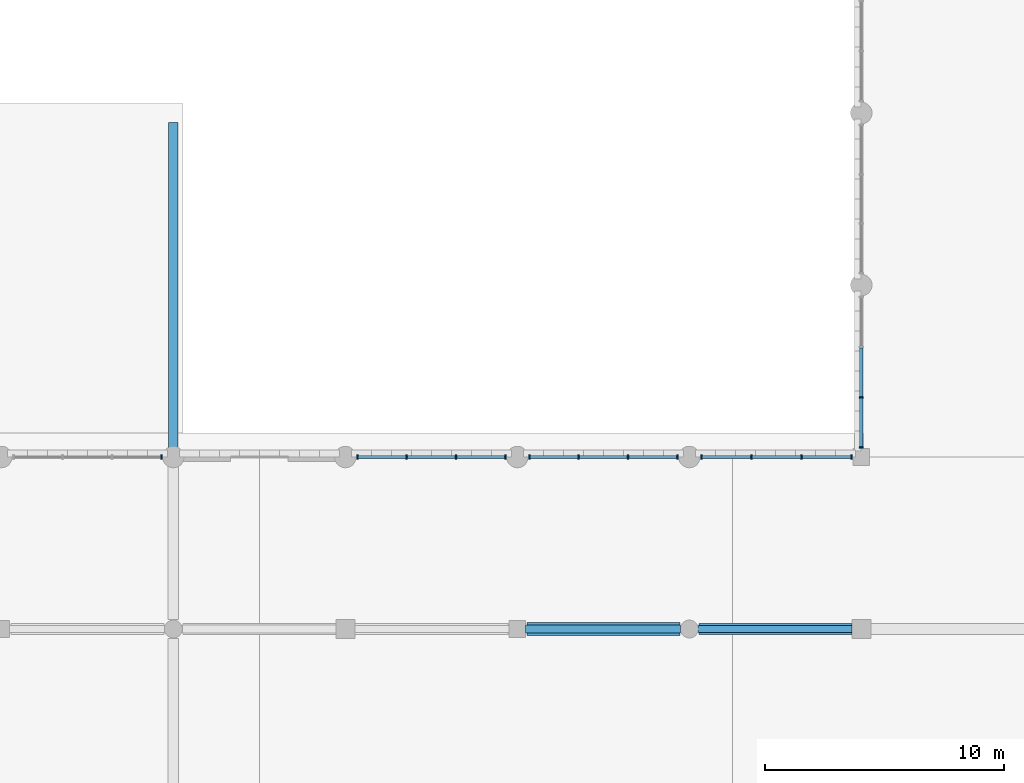
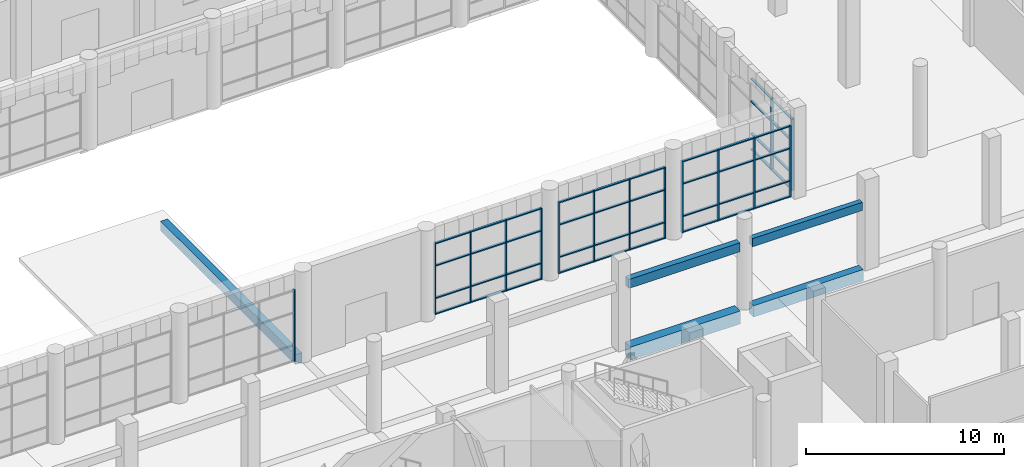
# One storey, part 17 of 85: 59 members, 5 beams, 5 elements without a shape of their own.
"""IFC4 building model written with IfcOpenShell, lengths in metres."""

from ifc_helpers import new_model, si_unit, direction, frame, origin, origin_2d, place, context, subcontext, project, spatial, rectangle, extrude, material, material_profile, profile_set, type_object, element, aggregate, save


model = new_model("IFC4")

# Units and contexts
model_context = context("Model", 3, precision=1e-05, world=origin(), true_north=direction((0.0, 1.0)))
body_context = subcontext(model_context, "Body", "Model", "MODEL_VIEW")
ifc_project = project(units=[si_unit("LENGTHUNIT", "METRE"), si_unit("AREAUNIT", "SQUARE_METRE"), si_unit("VOLUMEUNIT", "CUBIC_METRE"), si_unit("PLANEANGLEUNIT", "RADIAN"), si_unit("MASSUNIT", "GRAM", prefix="KILO")], contexts=[model_context])

# Site, building, storey
site_placement = place(None, origin())
site = spatial("IfcSite", under=ifc_project, at=site_placement, CompositionType="ELEMENT")
building_placement = place(site_placement, origin())
building = spatial("IfcBuilding", under=site, at=building_placement, Name="Sardonyx Promenade Sports Hall", CompositionType="ELEMENT")
storey_placement = place(building_placement, origin())
storey = spatial("IfcBuildingStorey", under=building, at=storey_placement, Name="L00", CompositionType="ELEMENT", Elevation=0.0)

# Beams
ifc_material_1 = material(Name="Concrete C40/50", Category="concrete")
ifc_material_profile_1 = material_profile(ifc_material_1, rectangle(XDim=0.550048828125, YDim=0.800048828125, at=origin_2d()))
ifc_profile_set_1 = profile_set([ifc_material_profile_1], Name="Concrete C40/50")
beam_type_1 = type_object("IfcBeamType", Name="Bm_Girder_RC800", PredefinedType="BEAM", material=ifc_profile_set_1)
beam_1_placement = place(storey_placement, frame((79.60009765625, 36.0, -0.39990234375), z_axis=(1.0, 0.0, 0.0), x_axis=(0.0, 1.0, 0.0)))
element("IfcBeam", 1, at=beam_1_placement, inside=storey, type_object=beam_type_1, Name="Beam BG04 L00 #111", PredefinedType="BEAM", context=body_context, shape_type="SweptSolid", body=[
    extrude(rectangle(XDim=0.550048828125, YDim=0.800048828125, at=origin_2d()), origin(), (0.0, 0.0, 1.0), 6.39990234375),
])
ifc_material_2 = material(Name="Concrete C40/50", Category="concrete")
ifc_material_profile_2 = material_profile(ifc_material_2, rectangle(XDim=0.35009765625, YDim=0.550048828125, at=origin_2d()))
ifc_profile_set_2 = profile_set([ifc_material_profile_2], Name="Concrete C40/50")
beam_type_2 = type_object("IfcBeamType", Name="Bm_Lintel_Portal", PredefinedType="LINTEL", material=ifc_profile_set_2)
beam_2_placement = place(storey_placement, frame((79.548095703125, 36.0, 3.85009765625), z_axis=(1.0, 0.0, 0.0), x_axis=(0.0, 1.0, 0.0)))
element("IfcBeam", 2, at=beam_2_placement, inside=storey, type_object=beam_type_2, Name="Riwaq sandstone portal lintel #7", PredefinedType="LINTEL", context=body_context, shape_type="SweptSolid", body=[
    extrude(rectangle(XDim=0.35009765625, YDim=0.550048828125, at=origin_2d()), origin(), (0.0, 0.0, 1.0), 6.47900390625),
])
ifc_material_3 = material(Name="Concrete C40/50", Category="concrete")
ifc_material_profile_3 = material_profile(ifc_material_3, rectangle(XDim=0.300048828125, YDim=0.5, at=origin_2d()))
ifc_profile_set_3 = profile_set([ifc_material_profile_3], Name="Concrete C40/50")
beam_type_3 = type_object("IfcBeamType", Name="Bm_Lintel_Sandstone", PredefinedType="LINTEL", material=ifc_profile_set_3)
beam_3_placement = place(storey_placement, frame((86.77294921875, 36.0, 3.85009765625), z_axis=(1.0, 0.0, 0.0), x_axis=(0.0, 1.0, 0.0)))
element("IfcBeam", 3, at=beam_3_placement, inside=storey, type_object=beam_type_3, Name="Riwaq sandstone portal lintel #8", PredefinedType="LINTEL", context=body_context, shape_type="SweptSolid", body=[
    extrude(rectangle(XDim=0.300048828125, YDim=0.5, at=origin_2d()), origin(), (0.0, 0.0, 1.0), 6.428955078125),
])
ifc_material_4 = material(Name="Concrete C40/50", Category="concrete")
ifc_material_profile_4 = material_profile(ifc_material_4, rectangle(XDim=0.449951171875, YDim=0.699951171875, at=origin_2d()))
ifc_profile_set_4 = profile_set([ifc_material_profile_4], Name="Concrete C40/50")
beam_type_4 = type_object("IfcBeamType", Name="Bm_Primary_RC700", PredefinedType="BEAM", material=ifc_profile_set_4)
beam_4_placement = place(storey_placement, frame((86.800048828125, 36.0, -0.35009765625), z_axis=(1.0, 0.0, 0.0), x_axis=(0.0, 1.0, 0.0)))
element("IfcBeam", 4, at=beam_4_placement, inside=storey, type_object=beam_type_4, Name="Beam BG01 L00 #112", PredefinedType="BEAM", context=body_context, shape_type="SweptSolid", body=[
    extrude(rectangle(XDim=0.449951171875, YDim=0.699951171875, at=origin_2d()), origin(), (0.0, 0.0, 1.0), 6.39990234375),
])
ifc_material_5 = material(Name="Concrete C40/50", Category="concrete")
ifc_material_profile_5 = material_profile(ifc_material_5, rectangle(XDim=0.39990234375, YDim=0.60009765625, at=origin_2d()))
ifc_profile_set_5 = profile_set([ifc_material_profile_5], Name="Concrete C40/50")
beam_type_5 = type_object("IfcBeamType", Name="Bm_Spandrel_RC600", PredefinedType="SPANDREL", material=ifc_profile_set_5)
beam_5_placement = place(storey_placement, frame((64.800048828125, 43.60009765625, -0.300048828125), z_axis=(0.0, 1.0, 0.0), x_axis=(-1.0, 0.0, 0.0)))
element("IfcBeam", 5, at=beam_5_placement, inside=storey, type_object=beam_type_5, Name="Beam SPB1 L00 #143", PredefinedType="SPANDREL", context=body_context, shape_type="SweptSolid", body=[
    extrude(rectangle(XDim=0.39990234375, YDim=0.60009765625, at=origin_2d()), origin(), (0.0, 0.0, 1.0), 13.599853515625),
])

# Curtain wall, member
ifc_material_6 = material(Name="Aluminium 6063-T6", Category="aluminium")
curtain_wall_type = type_object("IfcCurtainWallType", Name="CW_Riwaq_L00_640", PredefinedType="USERDEFINED", material=ifc_material_6)
curtain_wall_1_placement = place(storey_placement, origin())
curtain_wall_1 = element("IfcCurtainWall", 6, at=curtain_wall_1_placement, inside=storey, type_object=curtain_wall_type, Name="Curtain wall CW17 cw:L00:112", ObjectType="CURTAIN WALL", PredefinedType="USERDEFINED")
ifc_material_7 = material(Name="Aluminium 6063-T6", Category="aluminium")
ifc_material_profile_6 = material_profile(ifc_material_7, rectangle(XDim=0.06494140625, YDim=0.175048828125, at=origin_2d()))
ifc_profile_set_6 = profile_set([ifc_material_profile_6], Name="Aluminium 6063-T6")
member_type_1 = type_object("IfcMemberType", Name="CW_Mull_175", PredefinedType="MULLION", material=ifc_profile_set_6)
member_1_placement = place(storey_placement, frame((64.297607421875, 43.199951171875, 0.0), z_axis=(0.0, 0.0, 1.0), x_axis=(1.0, 0.0, 0.0)))
member_1 = element("IfcMember", 7, at=member_1_placement, type_object=member_type_1, Name="Mullion CM02 cw:L00:112 #4", PredefinedType="MULLION", context=body_context, shape_type="SweptSolid", body=[
    extrude(rectangle(XDim=0.06494140625, YDim=0.175048828125, at=origin_2d()), origin(), (0.0, 0.0, 1.0), 4.39990234375),
])
aggregate(curtain_wall_1, [member_1])

# Curtain wall, members
curtain_wall_2_placement = place(storey_placement, origin())
curtain_wall_2 = element("IfcCurtainWall", 8, at=curtain_wall_2_placement, inside=storey, type_object=curtain_wall_type, Name="Curtain wall CW17 cw:L00:114", ObjectType="CURTAIN WALL", PredefinedType="USERDEFINED")
member_2_placement = place(storey_placement, frame((72.50244140625, 43.199951171875, 0.0), z_axis=(0.0, 0.0, 1.0), x_axis=(1.0, 0.0, 0.0)))
member_2 = element("IfcMember", 9, at=member_2_placement, type_object=member_type_1, Name="Mullion CM02 cw:L00:114 #1", PredefinedType="MULLION", context=body_context, shape_type="SweptSolid", body=[
    extrude(rectangle(XDim=0.06494140625, YDim=0.175048828125, at=origin_2d()), origin(), (0.0, 0.0, 1.0), 4.39990234375),
])
member_3_placement = place(storey_placement, frame((74.5673828125, 43.199951171875, 0.0), z_axis=(0.0, 0.0, 1.0), x_axis=(1.0, 0.0, 0.0)))
member_3 = element("IfcMember", 10, at=member_3_placement, type_object=member_type_1, Name="Mullion CM02 cw:L00:114 #2", PredefinedType="MULLION", context=body_context, shape_type="SweptSolid", body=[
    extrude(rectangle(XDim=0.06494140625, YDim=0.175048828125, at=origin_2d()), origin(), (0.0, 0.0, 1.0), 4.39990234375),
])
member_4_placement = place(storey_placement, frame((76.632568359375, 43.199951171875, 0.0), z_axis=(0.0, 0.0, 1.0), x_axis=(1.0, 0.0, 0.0)))
member_4 = element("IfcMember", 11, at=member_4_placement, type_object=member_type_1, Name="Mullion CM02 cw:L00:114 #3", PredefinedType="MULLION", context=body_context, shape_type="SweptSolid", body=[
    extrude(rectangle(XDim=0.06494140625, YDim=0.175048828125, at=origin_2d()), origin(), (0.0, 0.0, 1.0), 4.39990234375),
])
member_5_placement = place(storey_placement, frame((78.697509765625, 43.199951171875, 0.0), z_axis=(0.0, 0.0, 1.0), x_axis=(1.0, 0.0, 0.0)))
member_5 = element("IfcMember", 12, at=member_5_placement, type_object=member_type_1, Name="Mullion CM02 cw:L00:114 #4", PredefinedType="MULLION", context=body_context, shape_type="SweptSolid", body=[
    extrude(rectangle(XDim=0.06494140625, YDim=0.175048828125, at=origin_2d()), origin(), (0.0, 0.0, 1.0), 4.39990234375),
])

curtain_wall_3_placement = place(storey_placement, origin())
curtain_wall_3 = element("IfcCurtainWall", 13, at=curtain_wall_3_placement, inside=storey, type_object=curtain_wall_type, Name="Curtain wall CW17 cw:L00:116", ObjectType="CURTAIN WALL", PredefinedType="USERDEFINED")
member_6_placement = place(storey_placement, frame((79.702392578125, 43.199951171875, 0.0), z_axis=(0.0, 0.0, 1.0), x_axis=(1.0, 0.0, 0.0)))
member_6 = element("IfcMember", 14, at=member_6_placement, type_object=member_type_1, Name="Mullion CM02 cw:L00:116 #1", PredefinedType="MULLION", context=body_context, shape_type="SweptSolid", body=[
    extrude(rectangle(XDim=0.06494140625, YDim=0.175048828125, at=origin_2d()), origin(), (0.0, 0.0, 1.0), 4.39990234375),
])
member_7_placement = place(storey_placement, frame((81.767578125, 43.199951171875, 0.0), z_axis=(0.0, 0.0, 1.0), x_axis=(1.0, 0.0, 0.0)))
member_7 = element("IfcMember", 15, at=member_7_placement, type_object=member_type_1, Name="Mullion CM02 cw:L00:116 #2", PredefinedType="MULLION", context=body_context, shape_type="SweptSolid", body=[
    extrude(rectangle(XDim=0.06494140625, YDim=0.175048828125, at=origin_2d()), origin(), (0.0, 0.0, 1.0), 4.39990234375),
])
member_8_placement = place(storey_placement, frame((83.83251953125, 43.199951171875, 0.0), z_axis=(0.0, 0.0, 1.0), x_axis=(1.0, 0.0, 0.0)))
member_8 = element("IfcMember", 16, at=member_8_placement, type_object=member_type_1, Name="Mullion CM02 cw:L00:116 #3", PredefinedType="MULLION", context=body_context, shape_type="SweptSolid", body=[
    extrude(rectangle(XDim=0.06494140625, YDim=0.175048828125, at=origin_2d()), origin(), (0.0, 0.0, 1.0), 4.39990234375),
])
member_9_placement = place(storey_placement, frame((85.8974609375, 43.199951171875, 0.0), z_axis=(0.0, 0.0, 1.0), x_axis=(1.0, 0.0, 0.0)))
member_9 = element("IfcMember", 17, at=member_9_placement, type_object=member_type_1, Name="Mullion CM02 cw:L00:116 #4", PredefinedType="MULLION", context=body_context, shape_type="SweptSolid", body=[
    extrude(rectangle(XDim=0.06494140625, YDim=0.175048828125, at=origin_2d()), origin(), (0.0, 0.0, 1.0), 4.39990234375),
])

curtain_wall_4_placement = place(storey_placement, origin())
curtain_wall_4 = element("IfcCurtainWall", 18, at=curtain_wall_4_placement, inside=storey, type_object=curtain_wall_type, Name="Curtain wall CW17 cw:L00:118", ObjectType="CURTAIN WALL", PredefinedType="USERDEFINED")
member_10_placement = place(storey_placement, frame((86.902587890625, 43.199951171875, 0.0), z_axis=(0.0, 0.0, 1.0), x_axis=(1.0, 0.0, 0.0)))
member_10 = element("IfcMember", 19, at=member_10_placement, type_object=member_type_1, Name="Mullion CM02 cw:L00:118 #1", PredefinedType="MULLION", context=body_context, shape_type="SweptSolid", body=[
    extrude(rectangle(XDim=0.06494140625, YDim=0.175048828125, at=origin_2d()), origin(), (0.0, 0.0, 1.0), 4.39990234375),
])
member_11_placement = place(storey_placement, frame((89.000732421875, 43.199951171875, 0.0), z_axis=(0.0, 0.0, 1.0), x_axis=(1.0, 0.0, 0.0)))
member_11 = element("IfcMember", 20, at=member_11_placement, type_object=member_type_1, Name="Mullion CM02 cw:L00:118 #2", PredefinedType="MULLION", context=body_context, shape_type="SweptSolid", body=[
    extrude(rectangle(XDim=0.06494140625, YDim=0.175048828125, at=origin_2d()), origin(), (0.0, 0.0, 1.0), 4.39990234375),
])
member_12_placement = place(storey_placement, frame((91.09912109375, 43.199951171875, 0.0), z_axis=(0.0, 0.0, 1.0), x_axis=(1.0, 0.0, 0.0)))
member_12 = element("IfcMember", 21, at=member_12_placement, type_object=member_type_1, Name="Mullion CM02 cw:L00:118 #3", PredefinedType="MULLION", context=body_context, shape_type="SweptSolid", body=[
    extrude(rectangle(XDim=0.06494140625, YDim=0.175048828125, at=origin_2d()), origin(), (0.0, 0.0, 1.0), 4.39990234375),
])
member_13_placement = place(storey_placement, frame((93.197509765625, 43.199951171875, 0.0), z_axis=(0.0, 0.0, 1.0), x_axis=(1.0, 0.0, 0.0)))
member_13 = element("IfcMember", 22, at=member_13_placement, type_object=member_type_1, Name="Mullion CM02 cw:L00:118 #4", PredefinedType="MULLION", context=body_context, shape_type="SweptSolid", body=[
    extrude(rectangle(XDim=0.06494140625, YDim=0.175048828125, at=origin_2d()), origin(), (0.0, 0.0, 1.0), 4.39990234375),
])

curtain_wall_5_placement = place(storey_placement, origin())
curtain_wall_5 = element("IfcCurtainWall", 23, at=curtain_wall_5_placement, inside=storey, type_object=curtain_wall_type, Name="Curtain wall CW17 cw:L00:121", ObjectType="CURTAIN WALL", PredefinedType="USERDEFINED")
member_14_placement = place(storey_placement, frame((93.60009765625, 43.6025390625, 0.0), z_axis=(0.0, 0.0, 1.0), x_axis=(0.0, 1.0, 0.0)))
member_14 = element("IfcMember", 24, at=member_14_placement, type_object=member_type_1, Name="Mullion CM02 cw:L00:121 #1", PredefinedType="MULLION", context=body_context, shape_type="SweptSolid", body=[
    extrude(rectangle(XDim=0.06494140625, YDim=0.175048828125, at=origin_2d()), origin(), (0.0, 0.0, 1.0), 4.39990234375),
])
member_15_placement = place(storey_placement, frame((93.60009765625, 45.700927734375, 0.0), z_axis=(0.0, 0.0, 1.0), x_axis=(0.0, 1.0, 0.0)))
member_15 = element("IfcMember", 25, at=member_15_placement, type_object=member_type_1, Name="Mullion CM02 cw:L00:121 #2", PredefinedType="MULLION", context=body_context, shape_type="SweptSolid", body=[
    extrude(rectangle(XDim=0.06494140625, YDim=0.175048828125, at=origin_2d()), origin(), (0.0, 0.0, 1.0), 4.39990234375),
])

# Member
ifc_material_8 = material(Name="Aluminium 6063-T6", Category="aluminium")
ifc_material_profile_7 = material_profile(ifc_material_8, rectangle(XDim=0.06494140625, YDim=0.139892578125, at=origin_2d()))
ifc_profile_set_7 = profile_set([ifc_material_profile_7], Name="Aluminium 6063-T6")
member_type_2 = type_object("IfcMemberType", Name="CW_Tran_140", PredefinedType="USERDEFINED", material=ifc_profile_set_7)
member_16_placement = place(storey_placement, frame((72.534912109375, 43.199951171875, 0.032470703125), z_axis=(1.0, 0.0, 0.0), x_axis=(0.0, 0.0, 1.0)))
member_16 = element("IfcMember", 26, at=member_16_placement, type_object=member_type_2, Name="Transom CT02 cw:L00:114 #1", ObjectType="TRANSOM", PredefinedType="USERDEFINED", context=body_context, shape_type="SweptSolid", body=[
    extrude(rectangle(XDim=0.06494140625, YDim=0.139892578125, at=origin_2d()), origin(), (0.0, 0.0, 1.0), 2.0),
])

member_17_placement = place(storey_placement, frame((72.534912109375, 43.199951171875, 1.0), z_axis=(1.0, 0.0, 0.0), x_axis=(0.0, 0.0, 1.0)))
member_17 = element("IfcMember", 27, at=member_17_placement, type_object=member_type_2, Name="Transom CT02 cw:L00:114 #2", ObjectType="TRANSOM", PredefinedType="USERDEFINED", context=body_context, shape_type="SweptSolid", body=[
    extrude(rectangle(XDim=0.06494140625, YDim=0.139892578125, at=origin_2d()), origin(), (0.0, 0.0, 1.0), 2.0),
])

member_18_placement = place(storey_placement, frame((72.534912109375, 43.199951171875, 3.0), z_axis=(1.0, 0.0, 0.0), x_axis=(0.0, 0.0, 1.0)))
member_18 = element("IfcMember", 28, at=member_18_placement, type_object=member_type_2, Name="Transom CT02 cw:L00:114 #3", ObjectType="TRANSOM", PredefinedType="USERDEFINED", context=body_context, shape_type="SweptSolid", body=[
    extrude(rectangle(XDim=0.06494140625, YDim=0.139892578125, at=origin_2d()), origin(), (0.0, 0.0, 1.0), 2.0),
])

member_19_placement = place(storey_placement, frame((72.534912109375, 43.199951171875, 4.367431640625), z_axis=(1.0, 0.0, 0.0), x_axis=(0.0, 0.0, 1.0)))
member_19 = element("IfcMember", 29, at=member_19_placement, type_object=member_type_2, Name="Transom CT02 cw:L00:114 #4", ObjectType="TRANSOM", PredefinedType="USERDEFINED", context=body_context, shape_type="SweptSolid", body=[
    extrude(rectangle(XDim=0.06494140625, YDim=0.139892578125, at=origin_2d()), origin(), (0.0, 0.0, 1.0), 2.0),
])

member_20_placement = place(storey_placement, frame((74.60009765625, 43.199951171875, 0.032470703125), z_axis=(1.0, 0.0, 0.0), x_axis=(0.0, 0.0, 1.0)))
member_20 = element("IfcMember", 30, at=member_20_placement, type_object=member_type_2, Name="Transom CT02 cw:L00:114 #5", ObjectType="TRANSOM", PredefinedType="USERDEFINED", context=body_context, shape_type="SweptSolid", body=[
    extrude(rectangle(XDim=0.06494140625, YDim=0.139892578125, at=origin_2d()), origin(), (0.0, 0.0, 1.0), 2.0),
])

member_21_placement = place(storey_placement, frame((74.60009765625, 43.199951171875, 1.0), z_axis=(1.0, 0.0, 0.0), x_axis=(0.0, 0.0, 1.0)))
member_21 = element("IfcMember", 31, at=member_21_placement, type_object=member_type_2, Name="Transom CT02 cw:L00:114 #6", ObjectType="TRANSOM", PredefinedType="USERDEFINED", context=body_context, shape_type="SweptSolid", body=[
    extrude(rectangle(XDim=0.06494140625, YDim=0.139892578125, at=origin_2d()), origin(), (0.0, 0.0, 1.0), 2.0),
])

member_22_placement = place(storey_placement, frame((74.60009765625, 43.199951171875, 3.0), z_axis=(1.0, 0.0, 0.0), x_axis=(0.0, 0.0, 1.0)))
member_22 = element("IfcMember", 32, at=member_22_placement, type_object=member_type_2, Name="Transom CT02 cw:L00:114 #7", ObjectType="TRANSOM", PredefinedType="USERDEFINED", context=body_context, shape_type="SweptSolid", body=[
    extrude(rectangle(XDim=0.06494140625, YDim=0.139892578125, at=origin_2d()), origin(), (0.0, 0.0, 1.0), 2.0),
])

member_23_placement = place(storey_placement, frame((74.60009765625, 43.199951171875, 4.367431640625), z_axis=(1.0, 0.0, 0.0), x_axis=(0.0, 0.0, 1.0)))
member_23 = element("IfcMember", 33, at=member_23_placement, type_object=member_type_2, Name="Transom CT02 cw:L00:114 #8", ObjectType="TRANSOM", PredefinedType="USERDEFINED", context=body_context, shape_type="SweptSolid", body=[
    extrude(rectangle(XDim=0.06494140625, YDim=0.139892578125, at=origin_2d()), origin(), (0.0, 0.0, 1.0), 2.0),
])

member_24_placement = place(storey_placement, frame((76.6650390625, 43.199951171875, 0.032470703125), z_axis=(1.0, 0.0, 0.0), x_axis=(0.0, 0.0, 1.0)))
member_24 = element("IfcMember", 34, at=member_24_placement, type_object=member_type_2, Name="Transom CT02 cw:L00:114 #9", ObjectType="TRANSOM", PredefinedType="USERDEFINED", context=body_context, shape_type="SweptSolid", body=[
    extrude(rectangle(XDim=0.06494140625, YDim=0.139892578125, at=origin_2d()), origin(), (0.0, 0.0, 1.0), 2.0),
])

member_25_placement = place(storey_placement, frame((76.6650390625, 43.199951171875, 1.0), z_axis=(1.0, 0.0, 0.0), x_axis=(0.0, 0.0, 1.0)))
member_25 = element("IfcMember", 35, at=member_25_placement, type_object=member_type_2, Name="Transom CT02 cw:L00:114 #10", ObjectType="TRANSOM", PredefinedType="USERDEFINED", context=body_context, shape_type="SweptSolid", body=[
    extrude(rectangle(XDim=0.06494140625, YDim=0.139892578125, at=origin_2d()), origin(), (0.0, 0.0, 1.0), 2.0),
])

member_26_placement = place(storey_placement, frame((76.6650390625, 43.199951171875, 3.0), z_axis=(1.0, 0.0, 0.0), x_axis=(0.0, 0.0, 1.0)))
member_26 = element("IfcMember", 36, at=member_26_placement, type_object=member_type_2, Name="Transom CT02 cw:L00:114 #11", ObjectType="TRANSOM", PredefinedType="USERDEFINED", context=body_context, shape_type="SweptSolid", body=[
    extrude(rectangle(XDim=0.06494140625, YDim=0.139892578125, at=origin_2d()), origin(), (0.0, 0.0, 1.0), 2.0),
])

member_27_placement = place(storey_placement, frame((76.6650390625, 43.199951171875, 4.367431640625), z_axis=(1.0, 0.0, 0.0), x_axis=(0.0, 0.0, 1.0)))
member_27 = element("IfcMember", 37, at=member_27_placement, type_object=member_type_2, Name="Transom CT02 cw:L00:114 #12", ObjectType="TRANSOM", PredefinedType="USERDEFINED", context=body_context, shape_type="SweptSolid", body=[
    extrude(rectangle(XDim=0.06494140625, YDim=0.139892578125, at=origin_2d()), origin(), (0.0, 0.0, 1.0), 2.0),
])

aggregate(curtain_wall_2, [member_2, member_3, member_4, member_5, member_16, member_17, member_18, member_19, member_20, member_21, member_22, member_23, member_24, member_25, member_26, member_27])

member_28_placement = place(storey_placement, frame((79.735107421875, 43.199951171875, 0.032470703125), z_axis=(1.0, 0.0, 0.0), x_axis=(0.0, 0.0, 1.0)))
member_28 = element("IfcMember", 38, at=member_28_placement, type_object=member_type_2, Name="Transom CT02 cw:L00:116 #1", ObjectType="TRANSOM", PredefinedType="USERDEFINED", context=body_context, shape_type="SweptSolid", body=[
    extrude(rectangle(XDim=0.06494140625, YDim=0.139892578125, at=origin_2d()), origin(), (0.0, 0.0, 1.0), 2.0),
])

member_29_placement = place(storey_placement, frame((79.735107421875, 43.199951171875, 1.0), z_axis=(1.0, 0.0, 0.0), x_axis=(0.0, 0.0, 1.0)))
member_29 = element("IfcMember", 39, at=member_29_placement, type_object=member_type_2, Name="Transom CT02 cw:L00:116 #2", ObjectType="TRANSOM", PredefinedType="USERDEFINED", context=body_context, shape_type="SweptSolid", body=[
    extrude(rectangle(XDim=0.06494140625, YDim=0.139892578125, at=origin_2d()), origin(), (0.0, 0.0, 1.0), 2.0),
])

member_30_placement = place(storey_placement, frame((79.735107421875, 43.199951171875, 3.0), z_axis=(1.0, 0.0, 0.0), x_axis=(0.0, 0.0, 1.0)))
member_30 = element("IfcMember", 40, at=member_30_placement, type_object=member_type_2, Name="Transom CT02 cw:L00:116 #3", ObjectType="TRANSOM", PredefinedType="USERDEFINED", context=body_context, shape_type="SweptSolid", body=[
    extrude(rectangle(XDim=0.06494140625, YDim=0.139892578125, at=origin_2d()), origin(), (0.0, 0.0, 1.0), 2.0),
])

member_31_placement = place(storey_placement, frame((79.735107421875, 43.199951171875, 4.367431640625), z_axis=(1.0, 0.0, 0.0), x_axis=(0.0, 0.0, 1.0)))
member_31 = element("IfcMember", 41, at=member_31_placement, type_object=member_type_2, Name="Transom CT02 cw:L00:116 #4", ObjectType="TRANSOM", PredefinedType="USERDEFINED", context=body_context, shape_type="SweptSolid", body=[
    extrude(rectangle(XDim=0.06494140625, YDim=0.139892578125, at=origin_2d()), origin(), (0.0, 0.0, 1.0), 2.0),
])

member_32_placement = place(storey_placement, frame((81.800048828125, 43.199951171875, 0.032470703125), z_axis=(1.0, 0.0, 0.0), x_axis=(0.0, 0.0, 1.0)))
member_32 = element("IfcMember", 42, at=member_32_placement, type_object=member_type_2, Name="Transom CT02 cw:L00:116 #5", ObjectType="TRANSOM", PredefinedType="USERDEFINED", context=body_context, shape_type="SweptSolid", body=[
    extrude(rectangle(XDim=0.06494140625, YDim=0.139892578125, at=origin_2d()), origin(), (0.0, 0.0, 1.0), 2.0),
])

member_33_placement = place(storey_placement, frame((81.800048828125, 43.199951171875, 1.0), z_axis=(1.0, 0.0, 0.0), x_axis=(0.0, 0.0, 1.0)))
member_33 = element("IfcMember", 43, at=member_33_placement, type_object=member_type_2, Name="Transom CT02 cw:L00:116 #6", ObjectType="TRANSOM", PredefinedType="USERDEFINED", context=body_context, shape_type="SweptSolid", body=[
    extrude(rectangle(XDim=0.06494140625, YDim=0.139892578125, at=origin_2d()), origin(), (0.0, 0.0, 1.0), 2.0),
])

member_34_placement = place(storey_placement, frame((81.800048828125, 43.199951171875, 3.0), z_axis=(1.0, 0.0, 0.0), x_axis=(0.0, 0.0, 1.0)))
member_34 = element("IfcMember", 44, at=member_34_placement, type_object=member_type_2, Name="Transom CT02 cw:L00:116 #7", ObjectType="TRANSOM", PredefinedType="USERDEFINED", context=body_context, shape_type="SweptSolid", body=[
    extrude(rectangle(XDim=0.06494140625, YDim=0.139892578125, at=origin_2d()), origin(), (0.0, 0.0, 1.0), 2.0),
])

member_35_placement = place(storey_placement, frame((81.800048828125, 43.199951171875, 4.367431640625), z_axis=(1.0, 0.0, 0.0), x_axis=(0.0, 0.0, 1.0)))
member_35 = element("IfcMember", 45, at=member_35_placement, type_object=member_type_2, Name="Transom CT02 cw:L00:116 #8", ObjectType="TRANSOM", PredefinedType="USERDEFINED", context=body_context, shape_type="SweptSolid", body=[
    extrude(rectangle(XDim=0.06494140625, YDim=0.139892578125, at=origin_2d()), origin(), (0.0, 0.0, 1.0), 2.0),
])

member_36_placement = place(storey_placement, frame((83.864990234375, 43.199951171875, 0.032470703125), z_axis=(1.0, 0.0, 0.0), x_axis=(0.0, 0.0, 1.0)))
member_36 = element("IfcMember", 46, at=member_36_placement, type_object=member_type_2, Name="Transom CT02 cw:L00:116 #9", ObjectType="TRANSOM", PredefinedType="USERDEFINED", context=body_context, shape_type="SweptSolid", body=[
    extrude(rectangle(XDim=0.06494140625, YDim=0.139892578125, at=origin_2d()), origin(), (0.0, 0.0, 1.0), 2.0),
])

member_37_placement = place(storey_placement, frame((83.864990234375, 43.199951171875, 1.0), z_axis=(1.0, 0.0, 0.0), x_axis=(0.0, 0.0, 1.0)))
member_37 = element("IfcMember", 47, at=member_37_placement, type_object=member_type_2, Name="Transom CT02 cw:L00:116 #10", ObjectType="TRANSOM", PredefinedType="USERDEFINED", context=body_context, shape_type="SweptSolid", body=[
    extrude(rectangle(XDim=0.06494140625, YDim=0.139892578125, at=origin_2d()), origin(), (0.0, 0.0, 1.0), 2.0),
])

member_38_placement = place(storey_placement, frame((83.864990234375, 43.199951171875, 3.0), z_axis=(1.0, 0.0, 0.0), x_axis=(0.0, 0.0, 1.0)))
member_38 = element("IfcMember", 48, at=member_38_placement, type_object=member_type_2, Name="Transom CT02 cw:L00:116 #11", ObjectType="TRANSOM", PredefinedType="USERDEFINED", context=body_context, shape_type="SweptSolid", body=[
    extrude(rectangle(XDim=0.06494140625, YDim=0.139892578125, at=origin_2d()), origin(), (0.0, 0.0, 1.0), 2.0),
])

member_39_placement = place(storey_placement, frame((83.864990234375, 43.199951171875, 4.367431640625), z_axis=(1.0, 0.0, 0.0), x_axis=(0.0, 0.0, 1.0)))
member_39 = element("IfcMember", 49, at=member_39_placement, type_object=member_type_2, Name="Transom CT02 cw:L00:116 #12", ObjectType="TRANSOM", PredefinedType="USERDEFINED", context=body_context, shape_type="SweptSolid", body=[
    extrude(rectangle(XDim=0.06494140625, YDim=0.139892578125, at=origin_2d()), origin(), (0.0, 0.0, 1.0), 2.0),
])

aggregate(curtain_wall_3, [member_6, member_7, member_8, member_9, member_28, member_29, member_30, member_31, member_32, member_33, member_34, member_35, member_36, member_37, member_38, member_39])

member_40_placement = place(storey_placement, frame((86.93505859375, 43.199951171875, 0.032470703125), z_axis=(1.0, 0.0, 0.0), x_axis=(0.0, 0.0, 1.0)))
member_40 = element("IfcMember", 50, at=member_40_placement, type_object=member_type_2, Name="Transom CT02 cw:L00:118 #1", ObjectType="TRANSOM", PredefinedType="USERDEFINED", context=body_context, shape_type="SweptSolid", body=[
    extrude(rectangle(XDim=0.06494140625, YDim=0.139892578125, at=origin_2d()), origin(), (0.0, 0.0, 1.0), 2.033203125),
])

member_41_placement = place(storey_placement, frame((86.93505859375, 43.199951171875, 1.0), z_axis=(1.0, 0.0, 0.0), x_axis=(0.0, 0.0, 1.0)))
member_41 = element("IfcMember", 51, at=member_41_placement, type_object=member_type_2, Name="Transom CT02 cw:L00:118 #2", ObjectType="TRANSOM", PredefinedType="USERDEFINED", context=body_context, shape_type="SweptSolid", body=[
    extrude(rectangle(XDim=0.06494140625, YDim=0.139892578125, at=origin_2d()), origin(), (0.0, 0.0, 1.0), 2.033203125),
])

member_42_placement = place(storey_placement, frame((86.93505859375, 43.199951171875, 3.0), z_axis=(1.0, 0.0, 0.0), x_axis=(0.0, 0.0, 1.0)))
member_42 = element("IfcMember", 52, at=member_42_placement, type_object=member_type_2, Name="Transom CT02 cw:L00:118 #3", ObjectType="TRANSOM", PredefinedType="USERDEFINED", context=body_context, shape_type="SweptSolid", body=[
    extrude(rectangle(XDim=0.06494140625, YDim=0.139892578125, at=origin_2d()), origin(), (0.0, 0.0, 1.0), 2.033203125),
])

member_43_placement = place(storey_placement, frame((86.93505859375, 43.199951171875, 4.367431640625), z_axis=(1.0, 0.0, 0.0), x_axis=(0.0, 0.0, 1.0)))
member_43 = element("IfcMember", 53, at=member_43_placement, type_object=member_type_2, Name="Transom CT02 cw:L00:118 #4", ObjectType="TRANSOM", PredefinedType="USERDEFINED", context=body_context, shape_type="SweptSolid", body=[
    extrude(rectangle(XDim=0.06494140625, YDim=0.139892578125, at=origin_2d()), origin(), (0.0, 0.0, 1.0), 2.033203125),
])

member_44_placement = place(storey_placement, frame((89.033447265625, 43.199951171875, 0.032470703125), z_axis=(1.0, 0.0, 0.0), x_axis=(0.0, 0.0, 1.0)))
member_44 = element("IfcMember", 54, at=member_44_placement, type_object=member_type_2, Name="Transom CT02 cw:L00:118 #5", ObjectType="TRANSOM", PredefinedType="USERDEFINED", context=body_context, shape_type="SweptSolid", body=[
    extrude(rectangle(XDim=0.06494140625, YDim=0.139892578125, at=origin_2d()), origin(), (0.0, 0.0, 1.0), 2.033203125),
])

member_45_placement = place(storey_placement, frame((89.033447265625, 43.199951171875, 1.0), z_axis=(1.0, 0.0, 0.0), x_axis=(0.0, 0.0, 1.0)))
member_45 = element("IfcMember", 55, at=member_45_placement, type_object=member_type_2, Name="Transom CT02 cw:L00:118 #6", ObjectType="TRANSOM", PredefinedType="USERDEFINED", context=body_context, shape_type="SweptSolid", body=[
    extrude(rectangle(XDim=0.06494140625, YDim=0.139892578125, at=origin_2d()), origin(), (0.0, 0.0, 1.0), 2.033203125),
])

member_46_placement = place(storey_placement, frame((89.033447265625, 43.199951171875, 3.0), z_axis=(1.0, 0.0, 0.0), x_axis=(0.0, 0.0, 1.0)))
member_46 = element("IfcMember", 56, at=member_46_placement, type_object=member_type_2, Name="Transom CT02 cw:L00:118 #7", ObjectType="TRANSOM", PredefinedType="USERDEFINED", context=body_context, shape_type="SweptSolid", body=[
    extrude(rectangle(XDim=0.06494140625, YDim=0.139892578125, at=origin_2d()), origin(), (0.0, 0.0, 1.0), 2.033203125),
])

member_47_placement = place(storey_placement, frame((89.033447265625, 43.199951171875, 4.367431640625), z_axis=(1.0, 0.0, 0.0), x_axis=(0.0, 0.0, 1.0)))
member_47 = element("IfcMember", 57, at=member_47_placement, type_object=member_type_2, Name="Transom CT02 cw:L00:118 #8", ObjectType="TRANSOM", PredefinedType="USERDEFINED", context=body_context, shape_type="SweptSolid", body=[
    extrude(rectangle(XDim=0.06494140625, YDim=0.139892578125, at=origin_2d()), origin(), (0.0, 0.0, 1.0), 2.033203125),
])

member_48_placement = place(storey_placement, frame((91.131591796875, 43.199951171875, 0.032470703125), z_axis=(1.0, 0.0, 0.0), x_axis=(0.0, 0.0, 1.0)))
member_48 = element("IfcMember", 58, at=member_48_placement, type_object=member_type_2, Name="Transom CT02 cw:L00:118 #9", ObjectType="TRANSOM", PredefinedType="USERDEFINED", context=body_context, shape_type="SweptSolid", body=[
    extrude(rectangle(XDim=0.06494140625, YDim=0.139892578125, at=origin_2d()), origin(), (0.0, 0.0, 1.0), 2.033447265625),
])

member_49_placement = place(storey_placement, frame((91.131591796875, 43.199951171875, 1.0), z_axis=(1.0, 0.0, 0.0), x_axis=(0.0, 0.0, 1.0)))
member_49 = element("IfcMember", 59, at=member_49_placement, type_object=member_type_2, Name="Transom CT02 cw:L00:118 #10", ObjectType="TRANSOM", PredefinedType="USERDEFINED", context=body_context, shape_type="SweptSolid", body=[
    extrude(rectangle(XDim=0.06494140625, YDim=0.139892578125, at=origin_2d()), origin(), (0.0, 0.0, 1.0), 2.033447265625),
])

member_50_placement = place(storey_placement, frame((91.131591796875, 43.199951171875, 3.0), z_axis=(1.0, 0.0, 0.0), x_axis=(0.0, 0.0, 1.0)))
member_50 = element("IfcMember", 60, at=member_50_placement, type_object=member_type_2, Name="Transom CT02 cw:L00:118 #11", ObjectType="TRANSOM", PredefinedType="USERDEFINED", context=body_context, shape_type="SweptSolid", body=[
    extrude(rectangle(XDim=0.06494140625, YDim=0.139892578125, at=origin_2d()), origin(), (0.0, 0.0, 1.0), 2.033447265625),
])

member_51_placement = place(storey_placement, frame((91.131591796875, 43.199951171875, 4.367431640625), z_axis=(1.0, 0.0, 0.0), x_axis=(0.0, 0.0, 1.0)))
member_51 = element("IfcMember", 61, at=member_51_placement, type_object=member_type_2, Name="Transom CT02 cw:L00:118 #12", ObjectType="TRANSOM", PredefinedType="USERDEFINED", context=body_context, shape_type="SweptSolid", body=[
    extrude(rectangle(XDim=0.06494140625, YDim=0.139892578125, at=origin_2d()), origin(), (0.0, 0.0, 1.0), 2.033447265625),
])

aggregate(curtain_wall_4, [member_10, member_11, member_12, member_13, member_40, member_41, member_42, member_43, member_44, member_45, member_46, member_47, member_48, member_49, member_50, member_51])

member_52_placement = place(storey_placement, frame((93.60009765625, 43.635009765625, 0.032470703125), z_axis=(0.0, 1.0, 0.0), x_axis=(0.0, 0.0, 1.0)))
member_52 = element("IfcMember", 62, at=member_52_placement, type_object=member_type_2, Name="Transom CT02 cw:L00:121 #1", ObjectType="TRANSOM", PredefinedType="USERDEFINED", context=body_context, shape_type="SweptSolid", body=[
    extrude(rectangle(XDim=0.06494140625, YDim=0.139892578125, at=origin_2d()), origin(), (0.0, 0.0, 1.0), 2.033203125),
])

member_53_placement = place(storey_placement, frame((93.60009765625, 43.635009765625, 1.0), z_axis=(0.0, 1.0, 0.0), x_axis=(0.0, 0.0, 1.0)))
member_53 = element("IfcMember", 63, at=member_53_placement, type_object=member_type_2, Name="Transom CT02 cw:L00:121 #2", ObjectType="TRANSOM", PredefinedType="USERDEFINED", context=body_context, shape_type="SweptSolid", body=[
    extrude(rectangle(XDim=0.06494140625, YDim=0.139892578125, at=origin_2d()), origin(), (0.0, 0.0, 1.0), 2.033203125),
])

member_54_placement = place(storey_placement, frame((93.60009765625, 43.635009765625, 3.0), z_axis=(0.0, 1.0, 0.0), x_axis=(0.0, 0.0, 1.0)))
member_54 = element("IfcMember", 64, at=member_54_placement, type_object=member_type_2, Name="Transom CT02 cw:L00:121 #3", ObjectType="TRANSOM", PredefinedType="USERDEFINED", context=body_context, shape_type="SweptSolid", body=[
    extrude(rectangle(XDim=0.06494140625, YDim=0.139892578125, at=origin_2d()), origin(), (0.0, 0.0, 1.0), 2.033203125),
])

member_55_placement = place(storey_placement, frame((93.60009765625, 43.635009765625, 4.367431640625), z_axis=(0.0, 1.0, 0.0), x_axis=(0.0, 0.0, 1.0)))
member_55 = element("IfcMember", 65, at=member_55_placement, type_object=member_type_2, Name="Transom CT02 cw:L00:121 #4", ObjectType="TRANSOM", PredefinedType="USERDEFINED", context=body_context, shape_type="SweptSolid", body=[
    extrude(rectangle(XDim=0.06494140625, YDim=0.139892578125, at=origin_2d()), origin(), (0.0, 0.0, 1.0), 2.033203125),
])

member_56_placement = place(storey_placement, frame((93.60009765625, 45.7333984375, 0.032470703125), z_axis=(0.0, 1.0, 0.0), x_axis=(0.0, 0.0, 1.0)))
member_56 = element("IfcMember", 66, at=member_56_placement, type_object=member_type_2, Name="Transom CT02 cw:L00:121 #5", ObjectType="TRANSOM", PredefinedType="USERDEFINED", context=body_context, shape_type="SweptSolid", body=[
    extrude(rectangle(XDim=0.06494140625, YDim=0.139892578125, at=origin_2d()), origin(), (0.0, 0.0, 1.0), 2.033203125),
])

member_57_placement = place(storey_placement, frame((93.60009765625, 45.7333984375, 1.0), z_axis=(0.0, 1.0, 0.0), x_axis=(0.0, 0.0, 1.0)))
member_57 = element("IfcMember", 67, at=member_57_placement, type_object=member_type_2, Name="Transom CT02 cw:L00:121 #6", ObjectType="TRANSOM", PredefinedType="USERDEFINED", context=body_context, shape_type="SweptSolid", body=[
    extrude(rectangle(XDim=0.06494140625, YDim=0.139892578125, at=origin_2d()), origin(), (0.0, 0.0, 1.0), 2.033203125),
])

member_58_placement = place(storey_placement, frame((93.60009765625, 45.7333984375, 3.0), z_axis=(0.0, 1.0, 0.0), x_axis=(0.0, 0.0, 1.0)))
member_58 = element("IfcMember", 68, at=member_58_placement, type_object=member_type_2, Name="Transom CT02 cw:L00:121 #7", ObjectType="TRANSOM", PredefinedType="USERDEFINED", context=body_context, shape_type="SweptSolid", body=[
    extrude(rectangle(XDim=0.06494140625, YDim=0.139892578125, at=origin_2d()), origin(), (0.0, 0.0, 1.0), 2.033203125),
])

member_59_placement = place(storey_placement, frame((93.60009765625, 45.7333984375, 4.367431640625), z_axis=(0.0, 1.0, 0.0), x_axis=(0.0, 0.0, 1.0)))
member_59 = element("IfcMember", 69, at=member_59_placement, type_object=member_type_2, Name="Transom CT02 cw:L00:121 #8", ObjectType="TRANSOM", PredefinedType="USERDEFINED", context=body_context, shape_type="SweptSolid", body=[
    extrude(rectangle(XDim=0.06494140625, YDim=0.139892578125, at=origin_2d()), origin(), (0.0, 0.0, 1.0), 2.033203125),
])

aggregate(curtain_wall_5, [member_14, member_15, member_52, member_53, member_54, member_55, member_56, member_57, member_58, member_59])

save(model, "model.ifc")
